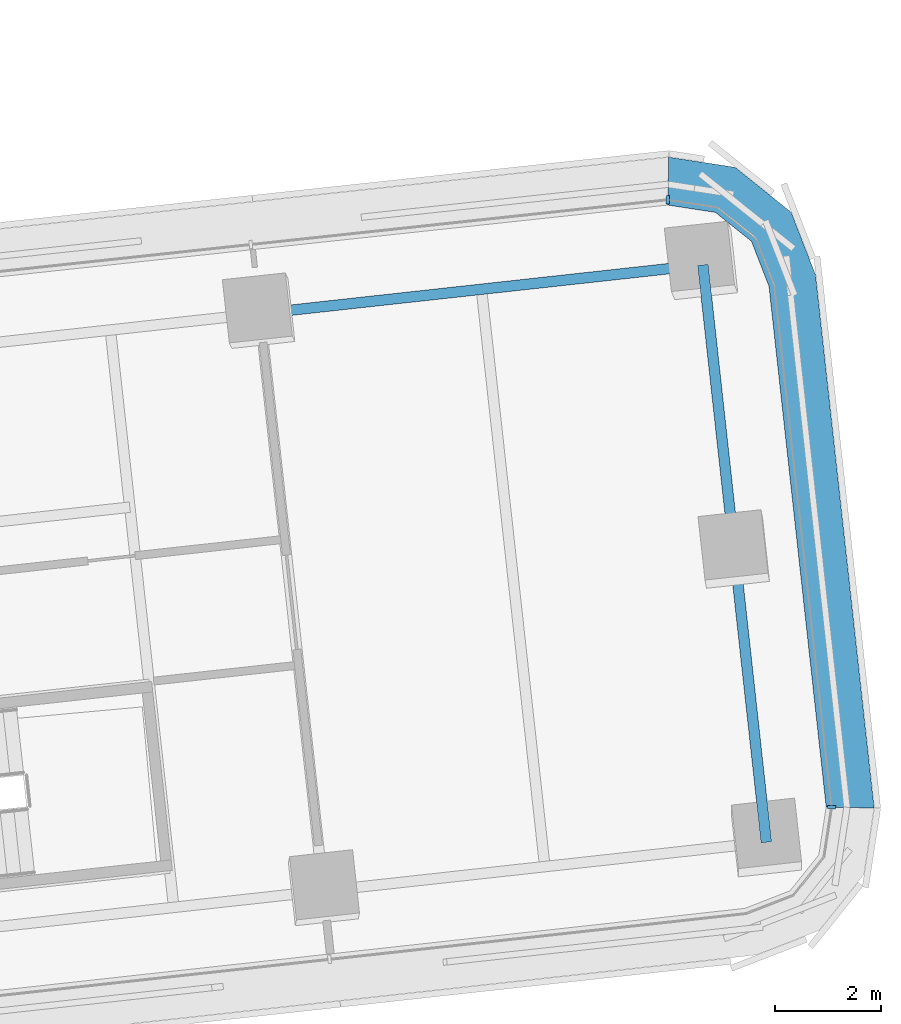
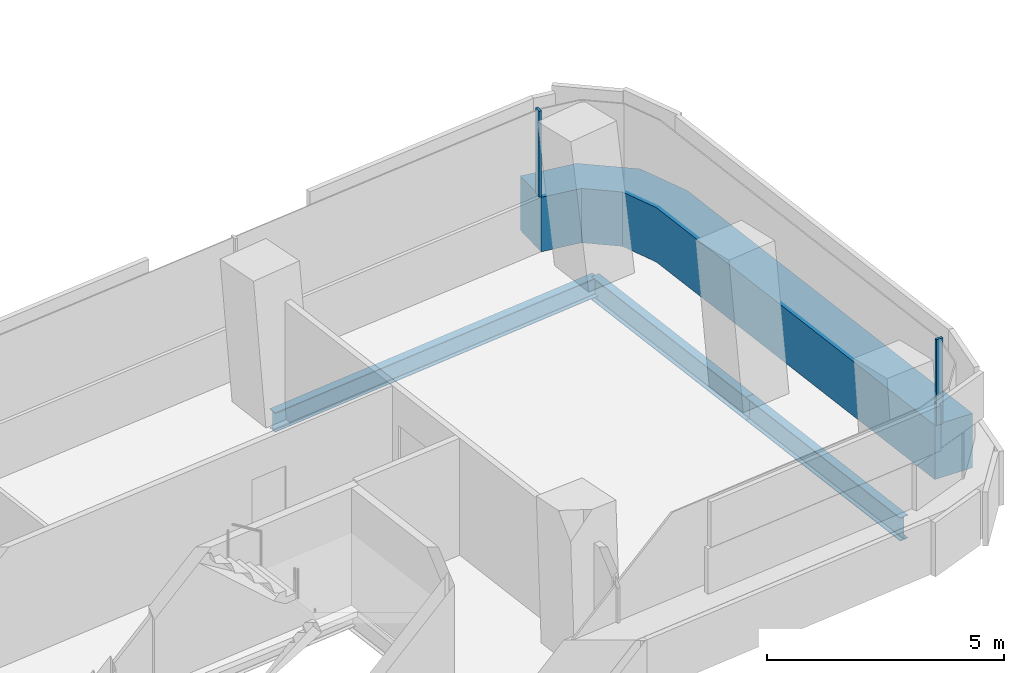
# One storey, part 12 of 31: 3 beams, 3 members, 2 elements without a shape of their own.
"""IFC4 building model written with IfcOpenShell, lengths in metres."""

from ifc_helpers import new_model, si_unit, direction, frame, origin, origin_2d, place, context, subcontext, project, spatial, polyline, rectangle, i_section, outline, extrude, material, layer, layer_set, material_profile, profile_set, type_object, element, aggregate, save


model = new_model("IFC4")

# Units and contexts
model_context = context("Model", 3, precision=1e-05, world=origin(), true_north=direction((0.0, 1.0)))
body_context = subcontext(model_context, "Body", "Model", "MODEL_VIEW")
ifc_project = project(units=[si_unit("LENGTHUNIT", "METRE"), si_unit("AREAUNIT", "SQUARE_METRE"), si_unit("VOLUMEUNIT", "CUBIC_METRE"), si_unit("PLANEANGLEUNIT", "RADIAN"), si_unit("MASSUNIT", "GRAM", prefix="KILO")], contexts=[model_context])

# Site, building, storey
site_placement = place(None, origin())
site = spatial("IfcSite", under=ifc_project, at=site_placement, CompositionType="ELEMENT")
building_placement = place(site_placement, origin())
building = spatial("IfcBuilding", under=site, at=building_placement, Name="Tamarind Cross Interchange Tower", CompositionType="ELEMENT")
storey_placement = place(building_placement, frame((0.0, 0.0, 56.5)))
storey = spatial("IfcBuildingStorey", under=building, at=storey_placement, Name="L12", CompositionType="ELEMENT", Elevation=56.5)

# Beams
ifc_material_1 = material(Name="Steel Q355B", Category="steel")
ifc_material_profile_1 = material_profile(ifc_material_1, i_section(OverallWidth=0.198974609375, OverallDepth=0.49609375, WebThickness=0.009033203125, FlangeThickness=0.013916015625, FilletRadius=0.012939453125, at=origin_2d()), Name="HN 496x199x9x14")
ifc_profile_set_1 = profile_set([ifc_material_profile_1], Name="Steel Q355B")
beam_type_1 = type_object("IfcBeamType", Name="Composite beam HN 496x199x9x14 Q355B", PredefinedType="BEAM", material=ifc_profile_set_1)
beam_placement = place(storey_placement, frame((46.985107421875, 8.277587890625, -0.387939453125), z_axis=(-0.994022640289, -0.109174129691, 0.0), x_axis=(0.109174129691, -0.994022640289, 0.0)))
element("IfcBeam", 1, at=beam_placement, inside=storey, type_object=beam_type_1, Name="Beam E-edgeep2", PredefinedType="BEAM", context=body_context, shape_type="SweptSolid", body=[
    extrude(i_section(OverallWidth=0.198974609375, OverallDepth=0.49609375, WebThickness=0.009033203125, FlangeThickness=0.013916015625, FilletRadius=0.012939453125, at=origin_2d()), origin(), (0.0, 0.0, 1.0), 8.439697265625),
])
ifc_material_profile_2 = material_profile(ifc_material_1, i_section(OverallWidth=0.199951171875, OverallDepth=0.60009765625, WebThickness=0.010986328125, FlangeThickness=0.01708984375, FilletRadius=0.012939453125, at=origin_2d()), Name="HN 600x200x11x17")
ifc_profile_set_2 = profile_set([ifc_material_profile_2], Name="Steel Q355B")
beam_type_2 = type_object("IfcBeamType", Name="Composite beam HN 600x200x11x17 Q355B", PredefinedType="BEAM", material=ifc_profile_set_2)
for number, where, z_axis, x_axis, name in (
    (2, (48.186279296875, -2.656494140625, -0.43994140625), (-0.109198813257, 0.994019928967, 0.0), (-0.994019928967, -0.109198813257, 0.0), "Beam E-tip0"),
    (3, (47.585693359375, 2.810546875, -0.43994140625), (-0.109198813257, 0.994019928967, 0.0), (-0.994019928967, -0.109198813257, 0.0), "Beam E-tip1"),
):
    element("IfcBeam", number, at=place(storey_placement, frame(where, z_axis=z_axis, x_axis=x_axis)), inside=storey, type_object=beam_type_2, Name=name, PredefinedType="BEAM", context=body_context, shape_type="SweptSolid", body=[
        extrude(i_section(OverallWidth=0.199951171875, OverallDepth=0.60009765625, WebThickness=0.010986328125, FlangeThickness=0.01708984375, FilletRadius=0.012939453125, at=origin_2d()), origin(), (0.0, 0.0, 1.0), 5.5),
    ])

# Curtain wall, members
ifc_material_2 = material(Name="Aluminium 6063-T6", Category="aluminium")
ifc_layer = layer(ifc_material_2, 0.159912109375)
ifc_layer_set = layer_set([ifc_layer], Name="Aluminium 6063-T6")
curtain_wall_type = type_object("IfcCurtainWallType", Name="Office curtain wall, 9.0 m bays", PredefinedType="NOTDEFINED", material=ifc_layer_set)
curtain_wall_1_placement = place(storey_placement, origin())
curtain_wall_1 = element("IfcCurtainWall", 4, at=curtain_wall_1_placement, inside=storey, type_object=curtain_wall_type, Name="CWS-L12-00", PredefinedType="NOTDEFINED")
ifc_material_3 = material(Name="Aluminium and insulated spandrel panel", Category="aluminium")
member_type_1 = type_object("IfcMemberType", Name="Floor-edge blade transom", PredefinedType="USERDEFINED", material=ifc_material_3)
member_1_placement = place(storey_placement, origin())
member_1 = element("IfcMember", 5, at=member_1_placement, type_object=member_type_1, Name="CWT-L12-00", ObjectType="TRANSOM", PredefinedType="USERDEFINED", context=body_context, shape_type="SweptSolid", body=[
    extrude(outline(polyline([(49.320068359375, -1.9892578125), (48.23681640625, 7.87255859375), (47.90478515625, 8.7255859375), (47.22265625, 9.272705078125), (46.3173828125, 9.41162109375), (46.338134765625, 10.319091796875), (47.59765625, 10.125732421875), (48.656005859375, 9.276611328125), (49.118408203125, 8.088623046875), (50.227783203125, -2.0087890625), (49.320068359375, -1.9892578125)])), origin(), (0.0, 0.0, 1.0), 1.39990234375),
])
ifc_material_profile_3 = material_profile(ifc_material_2, rectangle(XDim=0.06005859375, YDim=0.159912109375, at=origin_2d()), Name="Mullion CW1")
ifc_profile_set_3 = profile_set([ifc_material_profile_3], Name="Aluminium 6063-T6")
member_type_2 = type_object("IfcMemberType", Name="Mullion CW1", PredefinedType="MULLION", material=ifc_profile_set_3)
member_2_placement = place(storey_placement, frame((49.4208984375, -1.991455078125, 1.39990234375), z_axis=(0.0, 0.0, 1.0), x_axis=(0.021486840051, 0.999769131202, 0.0)))
member_2 = element("IfcMember", 6, at=member_2_placement, type_object=member_type_2, Name="CWM-L12-00-00", PredefinedType="MULLION", context=body_context, shape_type="SweptSolid", body=[
    extrude(rectangle(XDim=0.06005859375, YDim=0.159912109375, at=origin_2d()), origin(), (0.0, 0.0, 1.0), 2.210205078125),
])
aggregate(curtain_wall_1, [member_2, member_1])

# Curtain wall, member
curtain_wall_2_placement = place(storey_placement, origin())
curtain_wall_2 = element("IfcCurtainWall", 7, at=curtain_wall_2_placement, inside=storey, type_object=curtain_wall_type, Name="CWS-L12-01", PredefinedType="NOTDEFINED")
member_3_placement = place(storey_placement, frame((46.31982421875, 9.512451171875, 1.39990234375), z_axis=(0.0, 0.0, 1.0), x_axis=(-0.999741902601, 0.022718454701, 0.0)))
member_3 = element("IfcMember", 8, at=member_3_placement, type_object=member_type_2, Name="CWM-L12-01-00", PredefinedType="MULLION", context=body_context, shape_type="SweptSolid", body=[
    extrude(rectangle(XDim=0.06005859375, YDim=0.159912109375, at=origin_2d()), origin(), (0.0, 0.0, 1.0), 2.210205078125),
])
aggregate(curtain_wall_2, [member_3])

save(model, "model.ifc")
